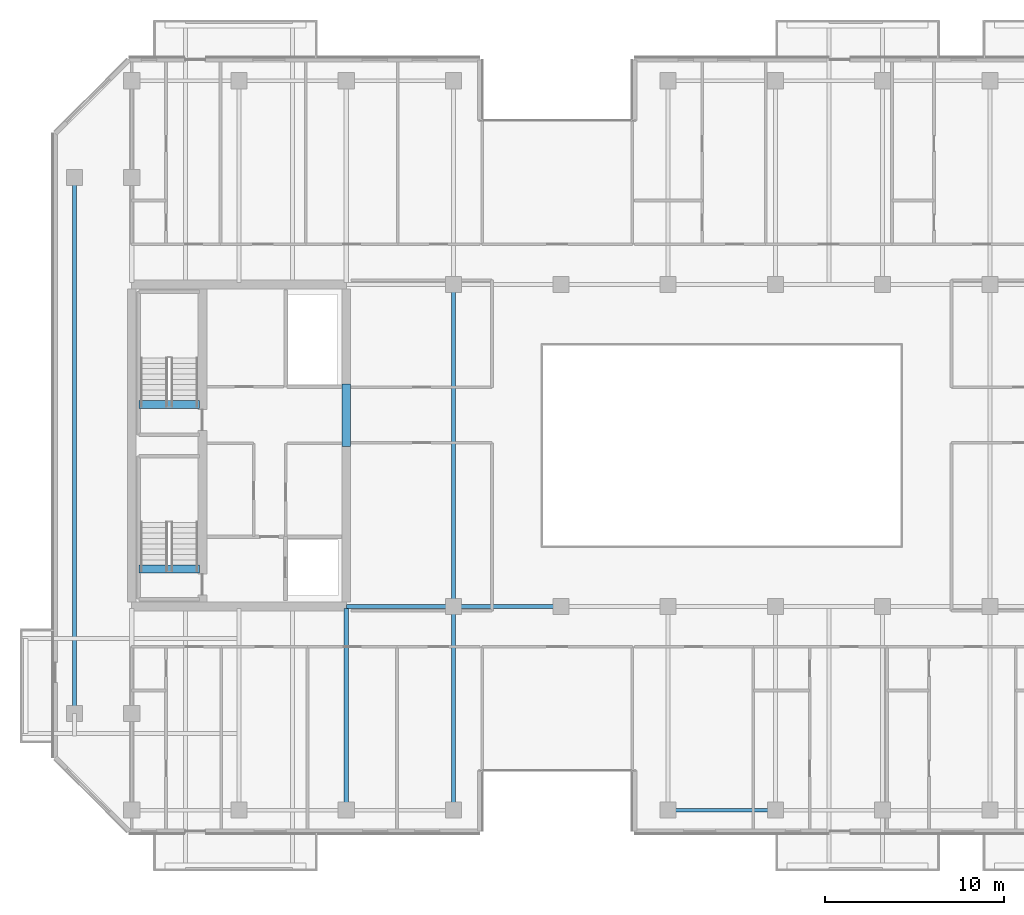
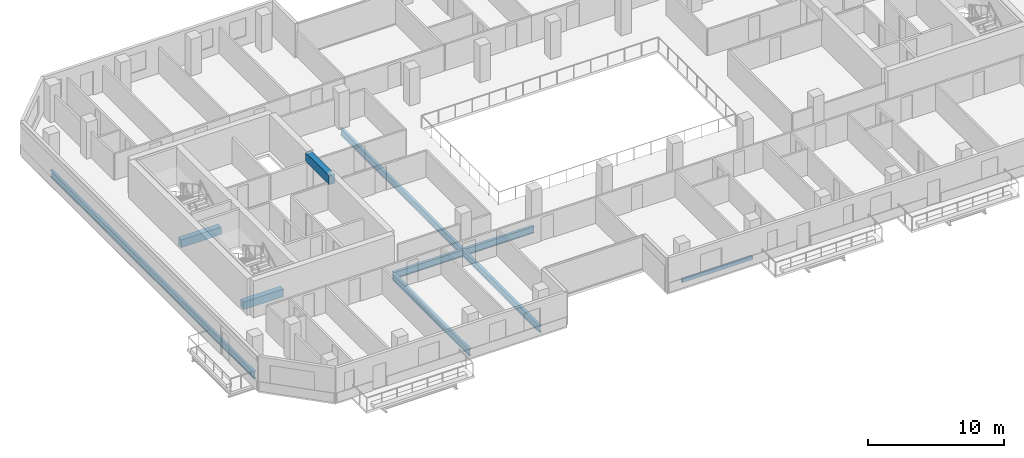
# One storey, part 3 of 19: 10 beams.
"""IFC4 building model written with IfcOpenShell, lengths in metres."""

from ifc_helpers import new_model, si_unit, direction, frame, origin, origin_2d, place, context, subcontext, project, spatial, rectangle, hollow_rectangle, i_section, extrude, material, material_profile, profile_set, type_object, element, save


model = new_model("IFC4")

# Units and contexts
model_context = context("Model", 3, precision=1e-05, world=origin(), true_north=direction((0.0, 1.0)))
body_context = subcontext(model_context, "Body", "Model", "MODEL_VIEW")
ifc_project = project(units=[si_unit("LENGTHUNIT", "METRE"), si_unit("AREAUNIT", "SQUARE_METRE"), si_unit("VOLUMEUNIT", "CUBIC_METRE"), si_unit("PLANEANGLEUNIT", "RADIAN"), si_unit("MASSUNIT", "GRAM", prefix="KILO")], contexts=[model_context])

# Site, building, storey
site_placement = place(None, origin())
site = spatial("IfcSite", under=ifc_project, at=site_placement, CompositionType="ELEMENT")
building_placement = place(site_placement, origin())
building = spatial("IfcBuilding", under=site, at=building_placement, Name="Tanjung Sevakor Pilgrim Tower", CompositionType="ELEMENT")
storey_placement = place(building_placement, frame((0.0, 0.0, 138.60009765625)))
storey = spatial("IfcBuildingStorey", under=building, at=storey_placement, Name="L38", CompositionType="ELEMENT", Elevation=138.60009765625)

# Beams
ifc_material_1 = material(Name="Steel S355J2", Category="steel")
ifc_material_profile_1 = material_profile(ifc_material_1, i_section(OverallWidth=0.230224609375, OverallDepth=0.6171875, WebThickness=0.01318359375, FlangeThickness=0.022216796875, FilletRadius=0.0126953125, at=origin_2d()))
ifc_profile_set_1 = profile_set([ifc_material_profile_1], Name="Steel S355J2")
beam_type_1 = type_object("IfcBeamType", Name="BM-B-G3-UB_610x229x140", PredefinedType="BEAM", material=ifc_profile_set_1)
for number, where, z_axis, x_axis, name in (
    (1, (36.0, 24.60009765625, -0.52880859375), (1.0, 0.0, 0.0), (0.0, 1.0, 0.0), "L38 Primary Floor Girder MAIN Y246-01"),
    (2, (42.0, 24.60009765625, -0.52880859375), (1.0, 0.0, 0.0), (0.0, 1.0, 0.0), "L38 Primary Floor Girder MAIN Y246-02"),
):
    element("IfcBeam", number, at=place(storey_placement, frame(where, z_axis=z_axis, x_axis=x_axis)), inside=storey, type_object=beam_type_1, Name=name, PredefinedType="BEAM", context=body_context, shape_type="SweptSolid", body=[
        extrude(i_section(OverallWidth=0.230224609375, OverallDepth=0.6171875, WebThickness=0.01318359375, FlangeThickness=0.022216796875, FilletRadius=0.0126953125, at=origin_2d()), origin(), (0.0, 0.0, 1.0), 6.0),
    ])
ifc_material_2 = material(Name="Steel S355J2", Category="steel")
ifc_material_profile_2 = material_profile(ifc_material_2, i_section(OverallWidth=0.22900390625, OverallDepth=0.6123046875, WebThickness=0.011962890625, FlangeThickness=0.01953125, FilletRadius=0.0126953125, at=origin_2d()))
ifc_profile_set_2 = profile_set([ifc_material_profile_2], Name="Steel S355J2")
beam_type_2 = type_object("IfcBeamType", Name="BM-B-G4-UB_610x229x125", PredefinedType="BEAM", material=ifc_profile_set_2)
beam_1_placement = place(storey_placement, frame((20.800048828125, 18.60009765625, -0.526123046875), z_axis=(0.0, 1.0, 0.0), x_axis=(-1.0, 0.0, 0.0)))
element("IfcBeam", 3, at=beam_1_placement, inside=storey, type_object=beam_type_2, Name="L38 Short-End Edge Girder W", PredefinedType="BEAM", context=body_context, shape_type="SweptSolid", body=[
    extrude(i_section(OverallWidth=0.22900390625, OverallDepth=0.6123046875, WebThickness=0.011962890625, FlangeThickness=0.01953125, FilletRadius=0.0126953125, at=origin_2d()), origin(), (0.0, 0.0, 1.0), 30.0),
])
beam_2_placement = place(storey_placement, frame((36.0, 13.199951171875, -0.526123046875), z_axis=(0.0, 1.0, 0.0), x_axis=(-1.0, 0.0, 0.0)))
element("IfcBeam", 4, at=beam_2_placement, inside=storey, type_object=beam_type_2, Name="L38 MAIN Girder 005", PredefinedType="BEAM", context=body_context, shape_type="SweptSolid", body=[
    extrude(i_section(OverallWidth=0.22900390625, OverallDepth=0.6123046875, WebThickness=0.011962890625, FlangeThickness=0.01953125, FilletRadius=0.0126953125, at=origin_2d()), origin(), (0.0, 0.0, 1.0), 11.284912109375),
])
beam_3_placement = place(storey_placement, frame((42.0, 13.199951171875, -0.526123046875), z_axis=(0.0, 1.0, 0.0), x_axis=(-1.0, 0.0, 0.0)))
element("IfcBeam", 5, at=beam_3_placement, inside=storey, type_object=beam_type_2, Name="L38 MAIN Girder 007", PredefinedType="BEAM", context=body_context, shape_type="SweptSolid", body=[
    extrude(i_section(OverallWidth=0.22900390625, OverallDepth=0.6123046875, WebThickness=0.011962890625, FlangeThickness=0.01953125, FilletRadius=0.0126953125, at=origin_2d()), origin(), (0.0, 0.0, 1.0), 11.400146484375),
])
beam_4_placement = place(storey_placement, frame((42.0, 24.60009765625, -0.526123046875), z_axis=(0.0, 1.0, 0.0), x_axis=(-1.0, 0.0, 0.0)))
element("IfcBeam", 6, at=beam_4_placement, inside=storey, type_object=beam_type_2, Name="L38 MAIN Girder 008", PredefinedType="BEAM", context=body_context, shape_type="SweptSolid", body=[
    extrude(i_section(OverallWidth=0.22900390625, OverallDepth=0.6123046875, WebThickness=0.011962890625, FlangeThickness=0.01953125, FilletRadius=0.0126953125, at=origin_2d()), origin(), (0.0, 0.0, 1.0), 18.0),
])
ifc_material_3 = material(Name="Concrete C60/75", Category="concrete")
ifc_material_profile_3 = material_profile(ifc_material_3, rectangle(XDim=0.5, YDim=0.800048828125, at=origin_2d()))
ifc_profile_set_3 = profile_set([ifc_material_profile_3], Name="Concrete C60/75")
beam_type_3 = type_object("IfcBeamType", Name="BM-B-LN2-RC-BM_500x800", PredefinedType="LINTEL", material=ifc_profile_set_3)
beam_5_placement = place(storey_placement, frame((36.0, 33.550048828125, 2.679931640625), z_axis=(0.0, 1.0, 0.0), x_axis=(-1.0, 0.0, 0.0)))
element("IfcBeam", 7, at=beam_5_placement, inside=storey, type_object=beam_type_3, Name="L38 W Core Coupling Lintel", PredefinedType="LINTEL", context=body_context, shape_type="SweptSolid", body=[
    extrude(rectangle(XDim=0.5, YDim=0.800048828125, at=origin_2d()), origin(), (0.0, 0.0, 1.0), 3.5),
])
ifc_material_4 = material(Name="Concrete C60/75", Category="concrete")
ifc_material_profile_4 = material_profile(ifc_material_4, rectangle(XDim=0.449951171875, YDim=0.699951171875, at=origin_2d()))
ifc_profile_set_4 = profile_set([ifc_material_profile_4], Name="Concrete C60/75")
beam_type_4 = type_object("IfcBeamType", Name="BM-B-LN3-RC-BM_450x700", PredefinedType="LINTEL", material=ifc_profile_set_4)
for number, where, z_axis, x_axis, name in (
    (8, (24.39990234375, 26.699951171875, -0.35009765625), (1.0, 0.0, 0.0), (0.0, 1.0, 0.0), "L38 TS-W1 Stair Threshold Beam"),
    (9, (24.39990234375, 35.89990234375, -0.35009765625), (1.0, 0.0, 0.0), (0.0, 1.0, 0.0), "L38 TS-W2 Stair Threshold Beam"),
):
    element("IfcBeam", number, at=place(storey_placement, frame(where, z_axis=z_axis, x_axis=x_axis)), inside=storey, type_object=beam_type_4, Name=name, PredefinedType="LINTEL", context=body_context, shape_type="SweptSolid", body=[
        extrude(rectangle(XDim=0.449951171875, YDim=0.699951171875, at=origin_2d()), origin(), (0.0, 0.0, 1.0), 3.400146484375),
    ])
ifc_material_5 = material(Name="Steel S355J2", Category="steel")
ifc_material_profile_5 = material_profile(ifc_material_5, hollow_rectangle(XDim=0.199951171875, YDim=0.300048828125, WallThickness=0.012451171875, at=origin_2d()))
ifc_profile_set_5 = profile_set([ifc_material_profile_5], Name="Steel S355J2")
beam_type_5 = type_object("IfcBeamType", Name="BM-B-SP3-RHS_300x200x12.5", PredefinedType="SPANDREL", material=ifc_profile_set_5)
beam_6_placement = place(storey_placement, frame((54.0, 13.199951171875, -0.3701171875), z_axis=(1.0, 0.0, 0.0), x_axis=(0.0, 1.0, 0.0)))
element("IfcBeam", 10, at=beam_6_placement, inside=storey, type_object=beam_type_5, Name="L38 Spandrel MAIN S-07", PredefinedType="SPANDREL", context=body_context, shape_type="SweptSolid", body=[
    extrude(hollow_rectangle(XDim=0.199951171875, YDim=0.300048828125, WallThickness=0.012451171875, at=origin_2d()), origin(), (0.0, 0.0, 1.0), 6.0),
])

save(model, "model.ifc")
